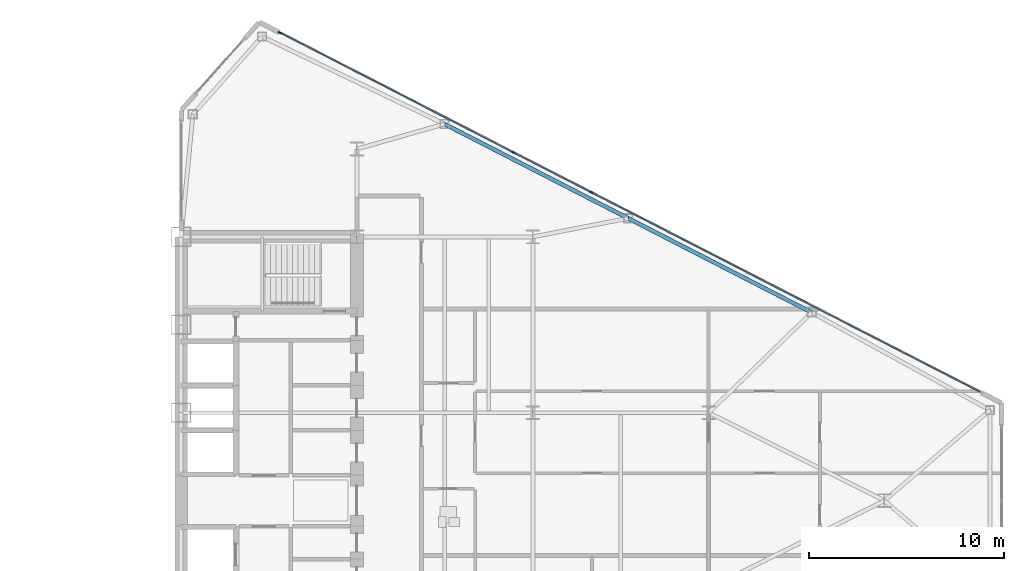
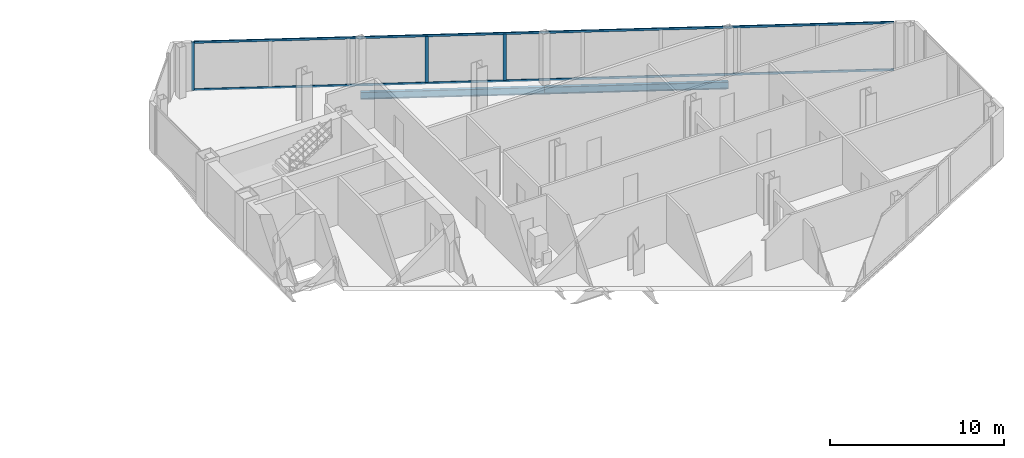
# One storey, part 12 of 24: 5 members, 2 beams, 1 element without a shape of its own.
"""IFC4 building model written with IfcOpenShell, lengths in metres."""

from ifc_helpers import new_model, si_unit, direction, frame, origin, origin_2d, place, context, subcontext, project, spatial, rectangle, i_section, extrude, source, transform, mapped, material, layer, layer_set, material_profile, profile_set, type_object, type_shapes, element, aggregate, save


model = new_model("IFC4")

# Units and contexts
model_context = context("Model", 3, precision=1e-05, world=origin(), true_north=direction((0.0, 1.0)))
body_context = subcontext(model_context, "Body", "Model", "MODEL_VIEW")
ifc_project = project(units=[si_unit("LENGTHUNIT", "METRE"), si_unit("AREAUNIT", "SQUARE_METRE"), si_unit("VOLUMEUNIT", "CUBIC_METRE"), si_unit("PLANEANGLEUNIT", "RADIAN"), si_unit("MASSUNIT", "GRAM", prefix="KILO")], contexts=[model_context])

# Site, building, storey
site_placement = place(None, origin())
site = spatial("IfcSite", under=ifc_project, at=site_placement, CompositionType="ELEMENT")
building_placement = place(site_placement, origin())
building = spatial("IfcBuilding", under=site, at=building_placement, Name="Seokmaru Belvedere", CompositionType="ELEMENT")
storey_placement = place(building_placement, frame((0.0, 0.0, 121.199951171875)))
storey = spatial("IfcBuildingStorey", under=building, at=storey_placement, Name="L32", CompositionType="ELEMENT", Elevation=121.199951171875)

# Beams
ifc_material_1 = material(Name="Steel SM355 (355 MPa)", Category="steel")
ifc_material_profile_1 = material_profile(ifc_material_1, i_section(OverallWidth=0.199951171875, OverallDepth=0.5, WebThickness=0.010009765625, FlangeThickness=0.01611328125, at=origin_2d()), Name="H-500x200x10x16")
ifc_profile_set_1 = profile_set([ifc_material_profile_1], Name="Steel SM355 (355 MPa)")
beam_type = type_object("IfcBeamType", Name="Perimeter Spandrel Beam H-500", PredefinedType="SPANDREL", material=ifc_profile_set_1)
shared_shape_1 = source(origin(), body_context, "Body", "SweptSolid", [
    extrude(i_section(OverallWidth=0.199951171875, OverallDepth=0.5, WebThickness=0.010009765625, FlangeThickness=0.01611328125, at=origin_2d()), origin(), (0.0, 0.0, 1.0), 10.56689453125),
])
type_shapes(beam_type, [shared_shape_1])
for number, where, z_axis, x_axis, name in (
    (1, (40.975830078125, 19.277587890625, -0.469970703125), (0.889701972758, -0.45654178305, 0.0), (0.45654178305, 0.889701972758, 0.0), "L32 E Faceted Flank Spandrel N-2"),
    (2, (50.377197265625, 14.453369140625, -0.469970703125), (0.889692588006, -0.456560071455, 0.0), (0.456560071455, 0.889692588006, 0.0), "L32 E Faceted Flank Spandrel N-3"),
):
    element("IfcBeam", number, at=place(storey_placement, frame(where, z_axis=z_axis, x_axis=x_axis)), inside=storey, type_object=beam_type, Name=name, PredefinedType="SPANDREL", context=body_context, shape_type="MappedRepresentation", body=[
        mapped(shared_shape_1, transform((0.0, 0.0, 0.0), scale=1.0)),
    ])

# Curtain wall, members
ifc_material_2 = material(Name="Bronze Triple Insulating Glass", Category="glass")
ifc_layer = layer(ifc_material_2, 0.195068359375)
ifc_layer_set = layer_set([ifc_layer], Name="Bronze Triple Insulating Glass")
curtain_wall_type = type_object("IfcCurtainWallType", Name="Sky-Lobby and Mid-Rise Curtain Wall System CW-4", PredefinedType="NOTDEFINED", material=ifc_layer_set)
curtain_wall_placement = place(storey_placement, origin())
curtain_wall = element("IfcCurtainWall", 3, at=curtain_wall_placement, inside=storey, type_object=curtain_wall_type, Name="L32 Curtain Wall EF3", PredefinedType="NOTDEFINED")
ifc_material_3 = material(Name="Anodised Bronze Aluminium", Category="aluminium")
ifc_material_profile_2 = material_profile(ifc_material_3, rectangle(XDim=0.070068359375, YDim=0.195068359375, at=origin_2d()), Name="CW-M-70x195")
ifc_profile_set_2 = profile_set([ifc_material_profile_2], Name="Anodised Bronze Aluminium")
member_type_1 = type_object("IfcMemberType", Name="Bronze Unitised Mullion 70x195", PredefinedType="MULLION", material=ifc_profile_set_2)
shared_shape_2 = source(origin(), body_context, "Body", "SweptSolid", [
    extrude(rectangle(XDim=0.070068359375, YDim=0.195068359375, at=origin_2d()), origin(), (0.0, 0.0, 1.0), 3.380126953125),
])
member_1_placement = place(storey_placement, frame((32.55419921875, 23.958984375, 0.0), z_axis=(0.0, 0.0, 1.0), x_axis=(-0.456554528263, -0.889695432562, 0.0)))
member_1 = element("IfcMember", 4, at=member_1_placement, type_object=member_type_1, Name="CW:L32:EF3 Mullion 10", PredefinedType="MULLION", context=body_context, shape_type="MappedRepresentation", body=[
    mapped(shared_shape_2, transform((0.0, 0.0, 0.0), scale=1.0)),
])
shared_shape_3 = source(origin(), body_context, "Body", "SweptSolid", [
    extrude(rectangle(XDim=0.070068359375, YDim=0.195068359375, at=origin_2d()), origin(), (0.0, 0.0, 1.0), 3.25),
])
type_shapes(member_type_1, [shared_shape_2, shared_shape_3])
member_2_placement = place(storey_placement, frame((48.502685546875, 15.77490234375, 0.06494140625), z_axis=(0.0, 0.0, 1.0), x_axis=(-0.456554528263, -0.889695432562, 0.0)))
member_2 = element("IfcMember", 5, at=member_2_placement, type_object=member_type_1, Name="CW:L32:EF3 Mullion 6", PredefinedType="MULLION", context=body_context, shape_type="MappedRepresentation", body=[
    mapped(shared_shape_3, transform((0.0, 0.0, 0.0), scale=1.0)),
])
member_3_placement = place(storey_placement, frame((44.5078125, 17.824951171875, 0.06494140625), z_axis=(0.0, 0.0, 1.0), x_axis=(-0.456554528263, -0.889695432562, 0.0)))
member_3 = element("IfcMember", 6, at=member_3_placement, type_object=member_type_1, Name="CW:L32:EF3 Mullion 7", PredefinedType="MULLION", context=body_context, shape_type="MappedRepresentation", body=[
    mapped(shared_shape_3, transform((0.0, 0.0, 0.0), scale=1.0)),
])
ifc_material_profile_3 = material_profile(ifc_material_3, rectangle(XDim=0.06494140625, YDim=0.14990234375, at=origin_2d()), Name="CW-T-65x150")
ifc_profile_set_3 = profile_set([ifc_material_profile_3], Name="Anodised Bronze Aluminium")
member_type_2 = type_object("IfcMemberType", Name="Bronze Unitised Transom 65x150", PredefinedType="USERDEFINED", material=ifc_profile_set_3)
shared_shape_4 = source(origin(), body_context, "Body", "SweptSolid", [
    extrude(rectangle(XDim=0.06494140625, YDim=0.14990234375, at=origin_2d()), origin(), (0.0, 0.0, 1.0), 40.271240234375),
])
type_shapes(member_type_2, [shared_shape_4])
member_4_placement = place(storey_placement, frame((68.41455078125, 5.556884765625, 0.032470703125), z_axis=(-0.889693089107, 0.456559094965, 0.0), x_axis=(-0.456559094965, -0.889693089107, 0.0)))
member_4 = element("IfcMember", 7, at=member_4_placement, type_object=member_type_2, Name="CW:L32:EF3 Continuous Transom 1", ObjectType="TRANSOM", PredefinedType="USERDEFINED", context=body_context, shape_type="MappedRepresentation", body=[
    mapped(shared_shape_4, transform((0.0, 0.0, 0.0), scale=1.0)),
])
member_5_placement = place(storey_placement, frame((68.41455078125, 5.556884765625, 3.34765625), z_axis=(-0.889693089107, 0.456559094965, 0.0), x_axis=(-0.456559094965, -0.889693089107, 0.0)))
member_5 = element("IfcMember", 8, at=member_5_placement, type_object=member_type_2, Name="CW:L32:EF3 Continuous Transom 2", ObjectType="TRANSOM", PredefinedType="USERDEFINED", context=body_context, shape_type="MappedRepresentation", body=[
    mapped(shared_shape_4, transform((0.0, 0.0, 0.0), scale=1.0)),
])
aggregate(curtain_wall, [member_2, member_3, member_1, member_4, member_5])

save(model, "model.ifc")
